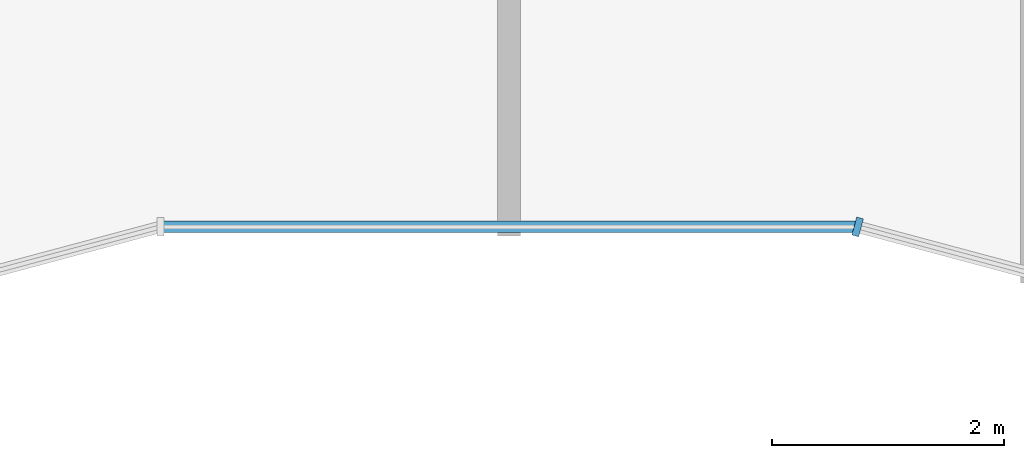
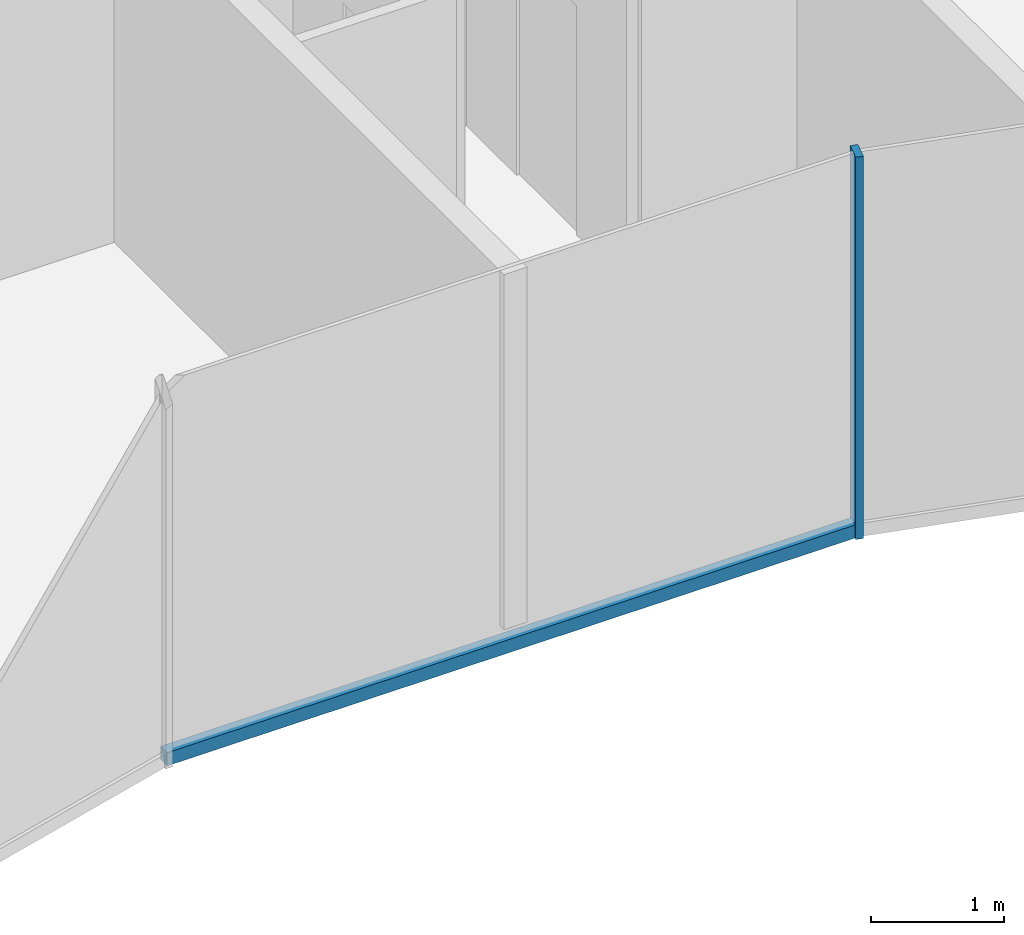
# One storey, part 3 of 10: 2 members, 2 elements without a shape of their own.
"""IFC4 building model written with IfcOpenShell, lengths in metres."""

from ifc_helpers import new_model, si_unit, direction, frame, origin, origin_2d, place, context, subcontext, project, spatial, rectangle, extrude, material, layer, layer_set, material_profile, profile_set, type_object, element, aggregate, save


model = new_model("IFC4")

# Units and contexts
model_context = context("Model", 3, precision=1e-05, world=origin(), true_north=direction((0.0, 1.0)))
body_context = subcontext(model_context, "Body", "Model", "MODEL_VIEW")
ifc_project = project(units=[si_unit("LENGTHUNIT", "METRE"), si_unit("AREAUNIT", "SQUARE_METRE"), si_unit("VOLUMEUNIT", "CUBIC_METRE"), si_unit("PLANEANGLEUNIT", "RADIAN"), si_unit("MASSUNIT", "GRAM", prefix="KILO")], contexts=[model_context])

# Site, building, storey
site_placement = place(None, origin())
site = spatial("IfcSite", under=ifc_project, at=site_placement, CompositionType="ELEMENT")
building_placement = place(site_placement, origin())
building = spatial("IfcBuilding", under=site, at=building_placement, Name="Plateau Cross Towers", CompositionType="ELEMENT")
storey_placement = place(building_placement, frame((0.0, 0.0, 266.89990234375)))
storey = spatial("IfcBuildingStorey", under=building, at=storey_placement, Name="L70", CompositionType="ELEMENT", Elevation=266.89990234375)

# Curtain wall, member
ifc_material_1 = material(Name="Dark low-iron glass", Category="glass")
ifc_layer = layer(ifc_material_1, 0.260009765625)
ifc_layer_set = layer_set([ifc_layer], Name="Dark low-iron glass")
curtain_wall_type = type_object("IfcCurtainWallType", Name="Curtain wall fluted unitised CW-A", PredefinedType="NOTDEFINED", material=ifc_layer_set)
curtain_wall_1_placement = place(storey_placement, origin())
curtain_wall_1 = element("IfcCurtainWall", 1, at=curtain_wall_1_placement, inside=storey, type_object=curtain_wall_type, Name="ENV/A/L70/A300_16", PredefinedType="NOTDEFINED")
ifc_material_2 = material(Name="Black anodised aluminium", Category="aluminium")
ifc_material_profile_1 = material_profile(ifc_material_2, rectangle(XDim=0.06005859375, YDim=0.159912109375, at=origin_2d()), Name="MULLION 60x160")
ifc_profile_set_1 = profile_set([ifc_material_profile_1], Name="Black anodised aluminium")
member_type_1 = type_object("IfcMemberType", Name="Mullion 60x160 fluted unitised", PredefinedType="MULLION", material=ifc_profile_set_1)
member_1_placement = place(storey_placement, frame((30.0, 1.60693359375, -0.25), z_axis=(0.0, 0.0, 1.0), x_axis=(0.965957983404, -0.258699003279, 0.0)))
member_1 = element("IfcMember", 2, at=member_1_placement, type_object=member_type_1, Name="CW-A mullion 1", PredefinedType="MULLION", context=body_context, shape_type="SweptSolid", body=[
    extrude(rectangle(XDim=0.06005859375, YDim=0.159912109375, at=origin_2d()), origin(), (0.0, 0.0, 1.0), 3.5),
])
aggregate(curtain_wall_1, [member_1])

curtain_wall_2_placement = place(storey_placement, origin())
curtain_wall_2 = element("IfcCurtainWall", 3, at=curtain_wall_2_placement, inside=storey, type_object=curtain_wall_type, Name="ENV/A/L70/A240_16", PredefinedType="NOTDEFINED")
ifc_material_profile_2 = material_profile(ifc_material_2, rectangle(XDim=0.10009765625, YDim=0.1201171875, at=origin_2d()), Name="TRANSOM 100x120")
ifc_profile_set_2 = profile_set([ifc_material_profile_2], Name="Black anodised aluminium")
member_type_2 = type_object("IfcMemberType", Name="Transom 100x120 fluted unitised", PredefinedType="USERDEFINED", material=ifc_profile_set_2)
member_2_placement = place(storey_placement, frame((24.0, 1.60693359375, -0.18994140625), z_axis=(1.0, 0.0, 0.0), x_axis=(0.0, 1.0, 0.0)))
member_2 = element("IfcMember", 4, at=member_2_placement, type_object=member_type_2, Name="CW-A transom", ObjectType="TRANSOM", PredefinedType="USERDEFINED", context=body_context, shape_type="SweptSolid", body=[
    extrude(rectangle(XDim=0.10009765625, YDim=0.1201171875, at=origin_2d()), origin(), (0.0, 0.0, 1.0), 6.0),
])
aggregate(curtain_wall_2, [member_2])

save(model, "model.ifc")
